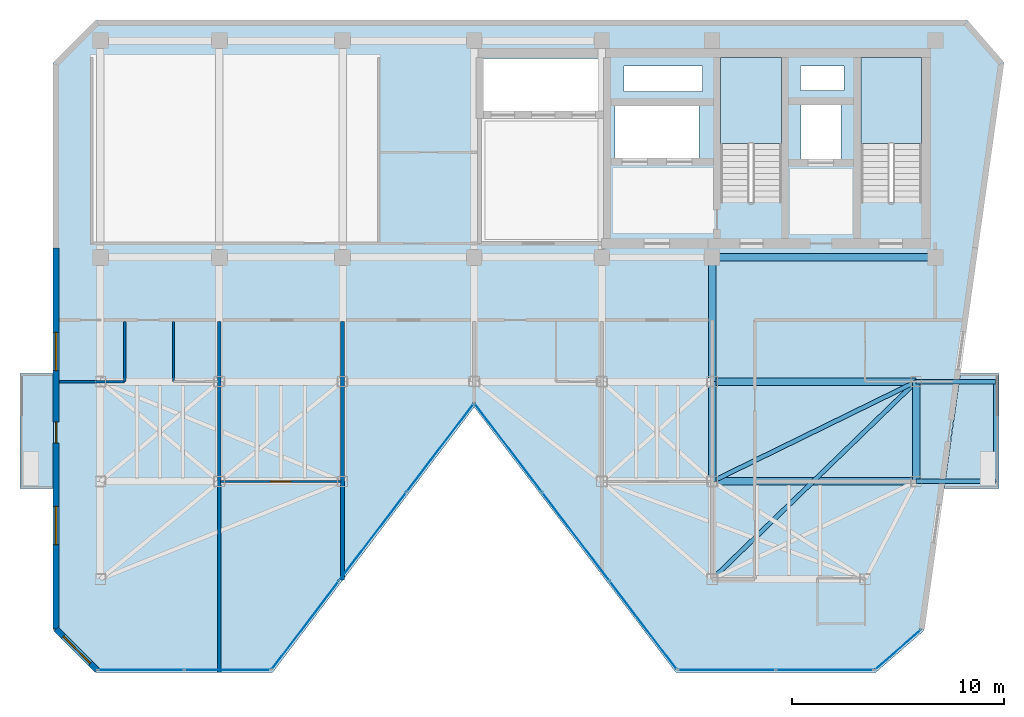
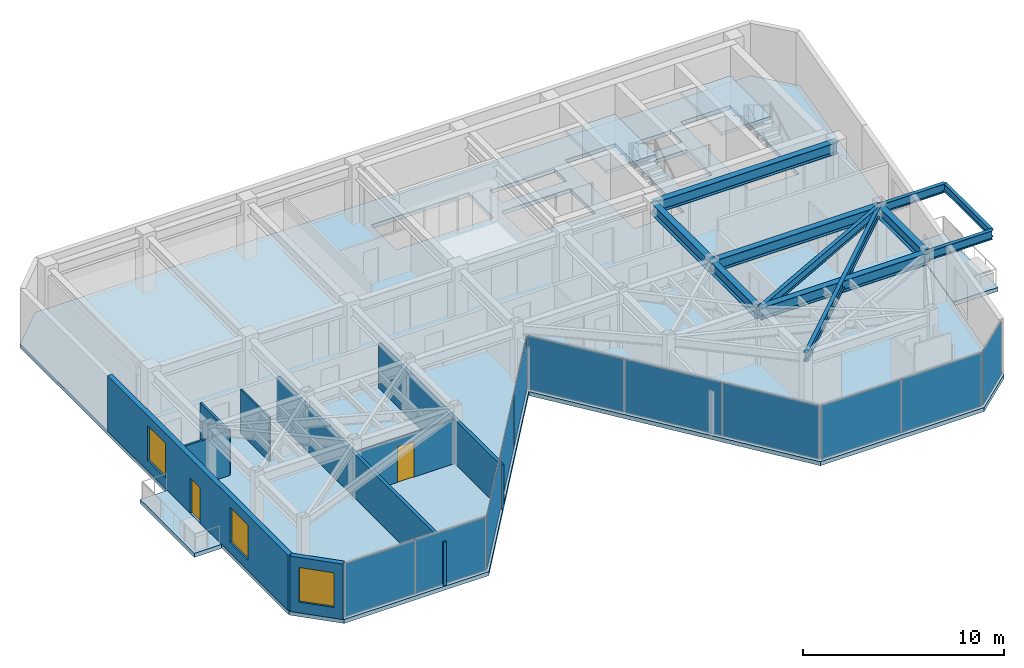
# One storey, part 12 of 17: 11 beams, 11 plates, 8 walls, 5 slabs, 3 windows, 2 doors, 5 openings, 7 elements without a shape of their own.
"""IFC4 building model written with IfcOpenShell, lengths in metres."""

import ifcopenshell
import ifcopenshell.guid

model = None  # the IFC model being written
_history = None  # IfcOwnerHistory: only IFC2X3 demands one
_inside = {}  # id of a spatial element -> (the spatial element, [elements in it])
_under = {}  # id of a project, library or spatial element -> (it, [spatial elements below it])
_declared = {}  # id of a project -> (the project, [libraries it declares])
_typed = {}  # id of a type object -> (the type object, [elements of that type])
_made_of = {}  # id of a material, layer set ... -> (it, [elements and type objects made of it])


def new_model(schema):
    """Start an empty IFC model of exactly this schema.

    Asked for "IFC4X3", IfcOpenShell would pick the latest addendum, in which some entities
    have other attributes; the version numbers below select the first issue.
    IFC2X3 requires an IfcOwnerHistory on every rooted entity: one is made here for all.
    """
    global model, _history
    if schema == "IFC4X3":
        model = ifcopenshell.file(schema_version=(4, 3, 0, 0))
    else:
        model = ifcopenshell.file(schema=schema)
    _inside.clear()
    _under.clear()
    _declared.clear()
    _typed.clear()
    _made_of.clear()
    _history = None
    if model.schema == "IFC2X3":
        org = make("IfcOrganization", Name="unknown")
        user = make(
            "IfcPersonAndOrganization",
            ThePerson=make("IfcPerson", FamilyName="unknown"),
            TheOrganization=org,
        )
        app = make(
            "IfcApplication",
            ApplicationDeveloper=org,
            Version="unknown",
            ApplicationFullName="unknown",
            ApplicationIdentifier="unknown",
        )
        _history = make(
            "IfcOwnerHistory",
            OwningUser=user,
            OwningApplication=app,
            ChangeAction="ADDED",
            CreationDate=0,
        )
    return model


def make(cls, **values):
    """One entity of the class cls with the attributes given. An attribute that is None is left unset."""
    return model.create_entity(
        cls, **{name: value for name, value in values.items() if value is not None}
    )


def rooted(cls, **values):
    """An entity with a GlobalId (a new one), such as an element, a storey or a relation."""
    return make(cls, GlobalId=ifcopenshell.guid.new(), OwnerHistory=_history, **values)


def si_unit(unit_type, name, prefix=None):
    """IfcSIUnit, for example si_unit("LENGTHUNIT", "METRE", prefix="MILLI")."""
    return make("IfcSIUnit", UnitType=unit_type, Prefix=prefix, Name=name)


def assignment(units):
    """IfcUnitAssignment: the units of a project."""
    return None if units is None else make("IfcUnitAssignment", Units=units)


def point(xyz):
    """IfcCartesianPoint."""
    return None if xyz is None else make("IfcCartesianPoint", Coordinates=xyz)


def direction(xyz):
    """IfcDirection."""
    return None if xyz is None else make("IfcDirection", DirectionRatios=xyz)


def frame(location, z_axis=None, x_axis=None):
    """IfcAxis2Placement3D, a coordinate frame: its origin and axes. An axis left out is left unset."""
    return make(
        "IfcAxis2Placement3D",
        Location=point(location),
        Axis=direction(z_axis),
        RefDirection=direction(x_axis),
    )


def frame_2d(location, x_axis=None):
    """IfcAxis2Placement2D, a coordinate frame in the plane: its origin and x axis."""
    return make(
        "IfcAxis2Placement2D", Location=point(location), RefDirection=direction(x_axis)
    )


def origin():
    """The frame at (0, 0, 0) with its axes left unset."""
    return frame((0.0, 0.0, 0.0))


def origin_2d():
    """The frame at (0, 0) in the plane with its x axis left unset."""
    return frame_2d((0.0, 0.0))


def place(relative_to, where):
    """IfcLocalPlacement: puts the frame where relative to a parent placement (None: the world)."""
    return make(
        "IfcLocalPlacement", PlacementRelTo=relative_to, RelativePlacement=where
    )


def context(
    kind, dimensions, precision=None, world=None, true_north=None, identifier=None
):
    """IfcGeometricRepresentationContext, for example the 3D "Model" context."""
    return make(
        "IfcGeometricRepresentationContext",
        ContextIdentifier=identifier,
        ContextType=kind,
        CoordinateSpaceDimension=dimensions,
        Precision=precision,
        WorldCoordinateSystem=world,
        TrueNorth=true_north,
    )


def subcontext(parent, identifier, kind, view, scale=None):
    """IfcGeometricRepresentationSubContext, for example "Body" below "Model"."""
    return make(
        "IfcGeometricRepresentationSubContext",
        ContextIdentifier=identifier,
        ContextType=kind,
        ParentContext=parent,
        TargetScale=scale,
        TargetView=view,
    )


def project(units=None, contexts=None):
    """IfcProject with its units and contexts."""
    return rooted(
        "IfcProject",
        Name="project",
        RepresentationContexts=contexts,
        UnitsInContext=assignment(units),
    )


def spatial(cls, under=None, at=None, **own):
    """A site, building, storey or space (cls), placed at a placement, below another one or the project."""
    s = rooted(cls, ObjectPlacement=at, **own)
    if under is not None:
        _under.setdefault(under.id(), (under, []))[1].append(s)
    return s


def polyline(points):
    """IfcPolyline through the points."""
    return make("IfcPolyline", Points=[point(p) for p in points])


def profile(cls, at=None, kind="AREA", **sizes):
    """A parametric profile (cls). Its sizes go by their IFC names, for example OverallWidth=200.0."""
    return make(cls, ProfileType=kind, Position=at, **sizes)


def rectangle(**sizes):
    """IfcRectangleProfileDef."""
    return profile("IfcRectangleProfileDef", **sizes)


def i_section(**sizes):
    """IfcIShapeProfileDef."""
    return profile("IfcIShapeProfileDef", **sizes)


def outline(outer, holes=None, kind="AREA"):
    """IfcArbitraryClosedProfileDef: a profile drawn as a closed curve; with holes, ...WithVoids."""
    if holes is None:
        return make("IfcArbitraryClosedProfileDef", ProfileType=kind, OuterCurve=outer)
    return make(
        "IfcArbitraryProfileDefWithVoids",
        ProfileType=kind,
        OuterCurve=outer,
        InnerCurves=holes,
    )


def extrude(swept, where, along, depth):
    """IfcExtrudedAreaSolid: the profile swept, set in the frame where, extruded along a direction by depth."""
    return make(
        "IfcExtrudedAreaSolid",
        SweptArea=swept,
        Position=where,
        ExtrudedDirection=direction(along),
        Depth=depth,
    )


def shape(context_of_items, identifier, shape_type, items):
    """IfcShapeRepresentation: the items that make up one representation, for example the "Body"."""
    return make(
        "IfcShapeRepresentation",
        ContextOfItems=context_of_items,
        RepresentationIdentifier=identifier,
        RepresentationType=shape_type,
        Items=items,
    )


def material(Name=None, Category=None):
    """IfcMaterial."""
    return make("IfcMaterial", Name=Name, Category=Category)


def layer(
    of_material, thickness, ventilated=None, Name=None, Category=None, Priority=None
):
    """IfcMaterialLayer: one layer of a wall or slab, of a material (None: an air gap)."""
    return make(
        "IfcMaterialLayer",
        Material=of_material,
        LayerThickness=thickness,
        IsVentilated=ventilated,
        Name=Name,
        Category=Category,
        Priority=Priority,
    )


def layer_set(layers, Name=None):
    """IfcMaterialLayerSet."""
    return make("IfcMaterialLayerSet", MaterialLayers=layers, LayerSetName=Name)


def material_profile(
    of_material, cross_section, Name=None, Category=None, Priority=None
):
    """IfcMaterialProfile: a cross section and its material."""
    return make(
        "IfcMaterialProfile",
        Name=Name,
        Material=of_material,
        Profile=cross_section,
        Priority=Priority,
        Category=Category,
    )


def profile_set(profiles, Name=None, composite=None):
    """IfcMaterialProfileSet."""
    return make(
        "IfcMaterialProfileSet",
        Name=Name,
        MaterialProfiles=profiles,
        CompositeProfile=composite,
    )


def made_of(thing, what):
    """Note that an element or type object is made of a material, layer set ...; save() writes the relation."""
    if what is not None:
        _made_of.setdefault(what.id(), (what, []))[1].append(thing)
    return thing


def type_object(cls, material=None, **own):
    """A type object (cls), such as IfcWallType, which elements share."""
    return made_of(rooted(cls, **own), material)


def element(
    cls,
    number,
    at=None,
    inside=None,
    cuts=None,
    type_object=None,
    material=None,
    context=None,
    identifier="Body",
    shape_type=None,
    held_by="IfcProductDefinitionShape",
    body=None,
    shapes=None,
    **own,
):
    """One element of the class cls, such as IfcWall. Its Tag is "e" and its number.

    at: its placement. inside: the storey or other place that contains it. cuts: it is an
    opening in that element (IfcRelVoidsElement). A single representation is given by context,
    identifier, shape_type and body (its items); several are given by shapes. held_by: the class
    of the entity that holds the representations. save() writes the other relations.
    """
    e = rooted(cls, Tag="e%d" % number, ObjectPlacement=at, **own)
    if body is not None:
        shapes = [shape(context, identifier, shape_type, body)]
    if shapes is not None:
        e.Representation = make(held_by, Representations=shapes)
    if inside is not None:
        _inside.setdefault(inside.id(), (inside, []))[1].append(e)
    if cuts is not None:
        rooted(
            "IfcRelVoidsElement", RelatingBuildingElement=cuts, RelatedOpeningElement=e
        )
    if type_object is not None:
        _typed.setdefault(type_object.id(), (type_object, []))[1].append(e)
    return made_of(e, material)


def fill(opening, filler):
    """IfcRelFillsElement: the door or window that sits in an opening."""
    return rooted(
        "IfcRelFillsElement",
        RelatingOpeningElement=opening,
        RelatedBuildingElement=filler,
    )


def aggregate(whole, parts):
    """IfcRelAggregates: a whole, such as a stair, and the parts it consists of."""
    return rooted("IfcRelAggregates", RelatingObject=whole, RelatedObjects=parts)


def save(model, path):
    """Write the relations noted so far, then the file.

    IfcRelAggregates (storeys below a building ...), IfcRelContainedInSpatialStructure (elements
    in a storey), IfcRelDefinesByType, IfcRelAssociatesMaterial and IfcRelDeclares: one each for
    every whole, place, type object, material and project.
    """
    for whole, parts in _under.values():
        aggregate(whole, parts)
    for where, things in _inside.values():
        rooted(
            "IfcRelContainedInSpatialStructure",
            RelatedElements=things,
            RelatingStructure=where,
        )
    for kind, things in _typed.values():
        rooted("IfcRelDefinesByType", RelatedObjects=things, RelatingType=kind)
    for what, things in _made_of.values():
        rooted("IfcRelAssociatesMaterial", RelatedObjects=things, RelatingMaterial=what)
    for by, libraries in _declared.values():
        rooted("IfcRelDeclares", RelatingContext=by, RelatedDefinitions=libraries)
    model.write(path)


model = new_model("IFC4")

# Units and contexts
model_context = context("Model", 3, precision=1e-05, world=origin(), true_north=direction((0.0, 1.0)))
body_context = subcontext(model_context, "Body", "Model", "MODEL_VIEW")
ifc_project = project(units=[si_unit("LENGTHUNIT", "METRE"), si_unit("AREAUNIT", "SQUARE_METRE"), si_unit("VOLUMEUNIT", "CUBIC_METRE"), si_unit("PLANEANGLEUNIT", "RADIAN"), si_unit("MASSUNIT", "GRAM", prefix="KILO")], contexts=[model_context])

# Site, building, storey
site_placement = place(None, origin())
site = spatial("IfcSite", under=ifc_project, at=site_placement, CompositionType="ELEMENT")
building_placement = place(site_placement, origin())
building = spatial("IfcBuilding", under=site, at=building_placement, Name="Kravanh Interchange Tower", CompositionType="ELEMENT")
storey_placement = place(building_placement, frame((0.0, 0.0, 256.199951171875)))
storey = spatial("IfcBuildingStorey", under=building, at=storey_placement, Name="L62", CompositionType="ELEMENT", Elevation=256.199951171875)

# Beams
ifc_material_1 = material(Name="Structural Steel S355", Category="steel")
ifc_material_profile_1 = material_profile(ifc_material_1, i_section(OverallWidth=0.35498046875, OverallDepth=0.696044921875, WebThickness=0.015380859375, FlangeThickness=0.02490234375, FilletRadius=0.02392578125, at=origin_2d()), Name="W27X146")
ifc_profile_set_1 = profile_set([ifc_material_profile_1], Name="Structural Steel S355")
beam_type_1 = type_object("IfcBeamType", Name="Floor Beam W27X146 Structural Steel S355", PredefinedType="BEAM", material=ifc_profile_set_1)
beam_1_placement = place(storey_placement, frame((56.0, 31.5, 3.011962890625), z_axis=(0.0, -1.0, 0.0), x_axis=(1.0, 0.0, 0.0)))
element("IfcBeam", 1, at=beam_1_placement, inside=storey, type_object=beam_type_1, Name="L62 Primary Floor Girder 9", PredefinedType="BEAM", context=body_context, shape_type="SweptSolid", body=[
    extrude(i_section(OverallWidth=0.35498046875, OverallDepth=0.696044921875, WebThickness=0.015380859375, FlangeThickness=0.02490234375, FilletRadius=0.02392578125, at=origin_2d()), origin(), (0.0, 0.0, 1.0), 4.699951171875),
])
beam_2_placement = place(storey_placement, frame((56.0, 31.5, 3.011962890625), z_axis=(0.0, 1.0, 0.0), x_axis=(-1.0, 0.0, 0.0)))
element("IfcBeam", 2, at=beam_2_placement, inside=storey, type_object=beam_type_1, Name="L62 Primary Floor Girder 10", PredefinedType="BEAM", context=body_context, shape_type="SweptSolid", body=[
    extrude(i_section(OverallWidth=0.35498046875, OverallDepth=0.696044921875, WebThickness=0.015380859375, FlangeThickness=0.02490234375, FilletRadius=0.02392578125, at=origin_2d()), origin(), (0.0, 0.0, 1.0), 5.85009765625),
])
beam_3_placement = place(storey_placement, frame((56.0, 31.5, 3.011962890625), z_axis=(1.0, 0.0, 0.0), x_axis=(0.0, 1.0, 0.0)))
element("IfcBeam", 3, at=beam_3_placement, inside=storey, type_object=beam_type_1, Name="L62 Primary Floor Girder 12", PredefinedType="BEAM", context=body_context, shape_type="SweptSolid", body=[
    extrude(i_section(OverallWidth=0.35498046875, OverallDepth=0.696044921875, WebThickness=0.015380859375, FlangeThickness=0.02490234375, FilletRadius=0.02392578125, at=origin_2d()), origin(), (0.0, 0.0, 1.0), 9.60009765625),
])
beam_4_placement = place(storey_placement, frame((65.60009765625, 31.5, 3.011962890625), z_axis=(0.0, -1.0, 0.0), x_axis=(1.0, 0.0, 0.0)))
element("IfcBeam", 4, at=beam_4_placement, inside=storey, type_object=beam_type_1, Name="L62 Primary Floor Girder 13", PredefinedType="BEAM", context=body_context, shape_type="SweptSolid", body=[
    extrude(i_section(OverallWidth=0.35498046875, OverallDepth=0.696044921875, WebThickness=0.015380859375, FlangeThickness=0.02490234375, FilletRadius=0.02392578125, at=origin_2d()), origin(), (0.0, 0.0, 1.0), 4.699951171875),
])
beam_5_placement = place(storey_placement, frame((56.0, 26.800048828125, 3.011962890625), z_axis=(1.0, 0.0, 0.0), x_axis=(0.0, 1.0, 0.0)))
element("IfcBeam", 5, at=beam_5_placement, inside=storey, type_object=beam_type_1, Name="L62 Primary Floor Girder 36", PredefinedType="BEAM", context=body_context, shape_type="SweptSolid", body=[
    extrude(i_section(OverallWidth=0.35498046875, OverallDepth=0.696044921875, WebThickness=0.015380859375, FlangeThickness=0.02490234375, FilletRadius=0.02392578125, at=origin_2d()), origin(), (0.0, 0.0, 1.0), 9.60009765625),
])
beam_6_placement = place(storey_placement, frame((66.5, 37.35009765625, 3.011962890625), z_axis=(-1.0, 0.0, 0.0), x_axis=(0.0, -1.0, 0.0)))
element("IfcBeam", 6, at=beam_6_placement, inside=storey, type_object=beam_type_1, Name="L62 Primary Floor Girder 47", PredefinedType="BEAM", context=body_context, shape_type="SweptSolid", body=[
    extrude(i_section(OverallWidth=0.35498046875, OverallDepth=0.696044921875, WebThickness=0.015380859375, FlangeThickness=0.02490234375, FilletRadius=0.02392578125, at=origin_2d()), origin(), (0.0, 0.0, 1.0), 10.5),
])
ifc_material_2 = material(Name="Structural Steel S355", Category="steel")
ifc_material_profile_2 = material_profile(ifc_material_2, i_section(OverallWidth=0.18994140625, OverallDepth=0.45703125, WebThickness=0.009033203125, FlangeThickness=0.014404296875, FilletRadius=0.01806640625, at=origin_2d()), Name="W18X50")
ifc_profile_set_2 = profile_set([ifc_material_profile_2], Name="Structural Steel S355")
beam_type_2 = type_object("IfcBeamType", Name="Floor Joist W18X50 Structural Steel S355", PredefinedType="JOIST", material=ifc_profile_set_2)
beam_7_placement = place(storey_placement, frame((69.330078125, 26.800048828125, 3.131591796875), z_axis=(0.0, 1.0, 0.0), x_axis=(-1.0, 0.0, 0.0)))
element("IfcBeam", 7, at=beam_7_placement, inside=storey, type_object=beam_type_2, Name="L62 Balcony Edge Tie Beam E", PredefinedType="JOIST", context=body_context, shape_type="SweptSolid", body=[
    extrude(i_section(OverallWidth=0.18994140625, OverallDepth=0.45703125, WebThickness=0.009033203125, FlangeThickness=0.014404296875, FilletRadius=0.01806640625, at=origin_2d()), origin(), (0.0, 0.0, 1.0), 4.699951171875),
])
ifc_material_3 = material(Name="Structural Steel S355", Category="steel")
ifc_material_profile_3 = material_profile(ifc_material_3, i_section(OverallWidth=0.2099609375, OverallDepth=0.537109375, WebThickness=0.010986328125, FlangeThickness=0.017333984375, FilletRadius=0.02001953125, at=origin_2d()), Name="W21X68")
ifc_profile_set_3 = profile_set([ifc_material_profile_3], Name="Structural Steel S355")
beam_type_3 = type_object("IfcBeamType", Name="Floor Spandrel W21X68 Structural Steel S355", PredefinedType="SPANDREL", material=ifc_profile_set_3)
beam_8_placement = place(storey_placement, frame((65.60009765625, 31.5, 3.091552734375), z_axis=(-0.898141688387, -0.439706160499, 0.0), x_axis=(0.439706160499, -0.898141688387, 0.0)))
element("IfcBeam", 8, at=beam_8_placement, inside=storey, type_object=beam_type_3, Name="L62 Perimeter Spandrel 15", PredefinedType="SPANDREL", context=body_context, shape_type="SweptSolid", body=[
    extrude(i_section(OverallWidth=0.2099609375, OverallDepth=0.537109375, WebThickness=0.010986328125, FlangeThickness=0.017333984375, FilletRadius=0.02001953125, at=origin_2d()), origin(), (0.0, 0.0, 1.0), 10.68896484375),
])
beam_9_placement = place(storey_placement, frame((65.60009765625, 31.5, 3.091552734375), z_axis=(-0.718241934329, -0.695793449072, 0.0), x_axis=(0.695793449072, -0.718241934329, 0.0)))
element("IfcBeam", 9, at=beam_9_placement, inside=storey, type_object=beam_type_3, Name="L62 Perimeter Spandrel 16", PredefinedType="SPANDREL", context=body_context, shape_type="SweptSolid", body=[
    extrude(i_section(OverallWidth=0.2099609375, OverallDepth=0.537109375, WebThickness=0.010986328125, FlangeThickness=0.017333984375, FilletRadius=0.02001953125, at=origin_2d()), origin(), (0.0, 0.0, 1.0), 13.3662109375),
])
for number, where, z_axis, x_axis, name in (
    (10, (65.60009765625, 26.800048828125, 3.091552734375), (1.0, 0.0, 0.0), (0.0, 1.0, 0.0), "L62 Balcony Cantilever Outrigger E1"),
    (11, (65.60009765625, 31.5, 3.091552734375), (1.0, 0.0, 0.0), (0.0, 1.0, 0.0), "L62 Balcony Cantilever Outrigger E2"),
):
    element("IfcBeam", number, at=place(storey_placement, frame(where, z_axis=z_axis, x_axis=x_axis)), inside=storey, type_object=beam_type_3, Name=name, PredefinedType="SPANDREL", context=body_context, shape_type="SweptSolid", body=[
        extrude(i_section(OverallWidth=0.2099609375, OverallDepth=0.537109375, WebThickness=0.010986328125, FlangeThickness=0.017333984375, FilletRadius=0.02001953125, at=origin_2d()), origin(), (0.0, 0.0, 1.0), 3.72998046875),
    ])

# Curtain wall, plate
ifc_material_4 = material(Name="Anodised Bronze Aluminium", Category="aluminium")
ifc_layer_1 = layer(ifc_material_4, 0.179931640625)
ifc_layer_set_1 = layer_set([ifc_layer_1], Name="Unitised Curtain Wall System CW-HTL Luxury Hotel")
curtain_wall_type = type_object("IfcCurtainWallType", Name="Unitised Curtain Wall System CW-HTL Luxury Hotel", PredefinedType="NOTDEFINED", material=ifc_layer_set_1)
curtain_wall_1_placement = place(storey_placement, origin())
curtain_wall_1 = element("IfcCurtainWall", 12, at=curtain_wall_1_placement, inside=storey, type_object=curtain_wall_type, Name="L62 Unitised Curtain Wall CW-L62-01", PredefinedType="NOTDEFINED")
ifc_material_5 = material(Name="Low-E Laminated Architectural Glass", Category="glass")
ifc_layer_2 = layer(ifc_material_5, 0.030029296875)
ifc_layer_set_2 = layer_set([ifc_layer_2], Name="Acoustic Laminated Glazing 30mm")
plate_type = type_object("IfcPlateType", Name="Acoustic Laminated Glazing 30mm", PredefinedType="CURTAIN_PANEL", material=ifc_layer_set_2)
plate_1_placement = place(storey_placement, frame((64.745849609375, 18.880859375, 0.06005859375), z_axis=(0.0, 0.0, 1.0), x_axis=(-0.754717231494, -0.656050227106, 0.0)))
plate_1 = element("IfcPlate", 13, at=plate_1_placement, type_object=plate_type, Name="CW-HTL panel 1.1", PredefinedType="CURTAIN_PANEL", context=body_context, shape_type="SweptSolid", body=[
    extrude(rectangle(XDim=2.80908203125, YDim=0.030029296875, at=origin_2d()), origin(), (0.0, 0.0, 1.0), 3.239990234375),
])
aggregate(curtain_wall_1, [plate_1])

# Curtain wall, plates
curtain_wall_2_placement = place(storey_placement, origin())
curtain_wall_2 = element("IfcCurtainWall", 14, at=curtain_wall_2_placement, inside=storey, type_object=curtain_wall_type, Name="L62 Unitised Curtain Wall CW-L62-02", PredefinedType="NOTDEFINED")
plate_2_placement = place(storey_placement, frame((61.30517578125, 17.919921875, 0.06005859375), z_axis=(0.0, 0.0, 1.0), x_axis=(-1.0, 0.0, 0.0)))
plate_2 = element("IfcPlate", 15, at=plate_2_placement, type_object=plate_type, Name="CW-HTL panel 1.1", PredefinedType="CURTAIN_PANEL", context=body_context, shape_type="SweptSolid", body=[
    extrude(rectangle(XDim=4.550537109375, YDim=0.030029296875, at=origin_2d()), origin(), (0.0, 0.0, 1.0), 3.239990234375),
])
plate_3_placement = place(storey_placement, frame((56.69482421875, 17.919921875, 0.06005859375), z_axis=(0.0, 0.0, 1.0), x_axis=(-1.0, 0.0, 0.0)))
plate_3 = element("IfcPlate", 16, at=plate_3_placement, type_object=plate_type, Name="CW-HTL panel 2.1", PredefinedType="CURTAIN_PANEL", context=body_context, shape_type="SweptSolid", body=[
    extrude(rectangle(XDim=4.550537109375, YDim=0.030029296875, at=origin_2d()), origin(), (0.0, 0.0, 1.0), 3.239990234375),
])
aggregate(curtain_wall_2, [plate_2, plate_3])

curtain_wall_3_placement = place(storey_placement, origin())
curtain_wall_3 = element("IfcCurtainWall", 17, at=curtain_wall_3_placement, inside=storey, type_object=curtain_wall_type, Name="L62 Unitised Curtain Wall CW-L62-03", PredefinedType="NOTDEFINED")
plate_4_placement = place(storey_placement, frame((52.757080078125, 20.0283203125, 0.06005859375), z_axis=(0.0, 0.0, 1.0), x_axis=(-0.605082946564, 0.79616243806, 0.0)))
plate_4 = element("IfcPlate", 18, at=plate_4_placement, type_object=plate_type, Name="CW-HTL panel 1.1", PredefinedType="CURTAIN_PANEL", context=body_context, shape_type="SweptSolid", body=[
    extrude(rectangle(XDim=5.17626953125, YDim=0.030029296875, at=origin_2d()), origin(), (0.0, 0.0, 1.0), 3.239990234375),
])
plate_5_placement = place(storey_placement, frame((49.579833984375, 24.209228515625, 0.06005859375), z_axis=(0.0, 0.0, 1.0), x_axis=(-0.605082946564, 0.79616243806, 0.0)))
plate_5 = element("IfcPlate", 19, at=plate_5_placement, type_object=plate_type, Name="CW-HTL panel 2.1", PredefinedType="CURTAIN_PANEL", context=body_context, shape_type="SweptSolid", body=[
    extrude(rectangle(XDim=5.206298828125, YDim=0.030029296875, at=origin_2d()), origin(), (0.0, 0.0, 1.0), 3.239990234375),
])
plate_6_placement = place(storey_placement, frame((46.40234375, 28.389892578125, 0.06005859375), z_axis=(0.0, 0.0, 1.0), x_axis=(-0.605082946564, 0.79616243806, 0.0)))
plate_6 = element("IfcPlate", 20, at=plate_6_placement, type_object=plate_type, Name="CW-HTL panel 3.1", PredefinedType="CURTAIN_PANEL", context=body_context, shape_type="SweptSolid", body=[
    extrude(rectangle(XDim=5.17626953125, YDim=0.030029296875, at=origin_2d()), origin(), (0.0, 0.0, 1.0), 3.239990234375),
])
aggregate(curtain_wall_3, [plate_4, plate_5, plate_6])

curtain_wall_4_placement = place(storey_placement, origin())
curtain_wall_4 = element("IfcCurtainWall", 21, at=curtain_wall_4_placement, inside=storey, type_object=curtain_wall_type, Name="L62 Unitised Curtain Wall CW-L62-04", PredefinedType="NOTDEFINED")
plate_7_placement = place(storey_placement, frame((43.19775390625, 28.389892578125, 0.06005859375), z_axis=(0.0, 0.0, 1.0), x_axis=(-0.605082946564, -0.79616243806, 0.0)))
plate_7 = element("IfcPlate", 22, at=plate_7_placement, type_object=plate_type, Name="CW-HTL panel 1.1", PredefinedType="CURTAIN_PANEL", context=body_context, shape_type="SweptSolid", body=[
    extrude(rectangle(XDim=5.17626953125, YDim=0.030029296875, at=origin_2d()), origin(), (0.0, 0.0, 1.0), 3.239990234375),
])
plate_8_placement = place(storey_placement, frame((40.020263671875, 24.209228515625, 0.06005859375), z_axis=(0.0, 0.0, 1.0), x_axis=(-0.605082946564, -0.79616243806, 0.0)))
plate_8 = element("IfcPlate", 23, at=plate_8_placement, type_object=plate_type, Name="CW-HTL panel 2.1", PredefinedType="CURTAIN_PANEL", context=body_context, shape_type="SweptSolid", body=[
    extrude(rectangle(XDim=5.206298828125, YDim=0.030029296875, at=origin_2d()), origin(), (0.0, 0.0, 1.0), 3.239990234375),
])
plate_9_placement = place(storey_placement, frame((36.8427734375, 20.0283203125, 0.06005859375), z_axis=(0.0, 0.0, 1.0), x_axis=(-0.605082946564, -0.79616243806, 0.0)))
plate_9 = element("IfcPlate", 24, at=plate_9_placement, type_object=plate_type, Name="CW-HTL panel 3.1", PredefinedType="CURTAIN_PANEL", context=body_context, shape_type="SweptSolid", body=[
    extrude(rectangle(XDim=5.17626953125, YDim=0.030029296875, at=origin_2d()), origin(), (0.0, 0.0, 1.0), 3.239990234375),
])
aggregate(curtain_wall_4, [plate_7, plate_8, plate_9])

curtain_wall_5_placement = place(storey_placement, origin())
curtain_wall_5 = element("IfcCurtainWall", 25, at=curtain_wall_5_placement, inside=storey, type_object=curtain_wall_type, Name="L62 Unitised Curtain Wall CW-L62-05", PredefinedType="NOTDEFINED")
plate_10_placement = place(storey_placement, frame((33.177734375, 17.919921875, 0.06005859375), z_axis=(0.0, 0.0, 1.0), x_axis=(-1.0, 0.0, 0.0)))
plate_10 = element("IfcPlate", 26, at=plate_10_placement, type_object=plate_type, Name="CW-HTL panel 1.1", PredefinedType="CURTAIN_PANEL", context=body_context, shape_type="SweptSolid", body=[
    extrude(rectangle(XDim=4.00537109375, YDim=0.030029296875, at=origin_2d()), origin(), (0.0, 0.0, 1.0), 3.239990234375),
])
plate_11_placement = place(storey_placement, frame((29.1123046875, 17.919921875, 0.06005859375), z_axis=(0.0, 0.0, 1.0), x_axis=(-1.0, 0.0, 0.0)))
plate_11 = element("IfcPlate", 27, at=plate_11_placement, type_object=plate_type, Name="CW-HTL panel 2.1", PredefinedType="CURTAIN_PANEL", context=body_context, shape_type="SweptSolid", body=[
    extrude(rectangle(XDim=4.00537109375, YDim=0.030029296875, at=origin_2d()), origin(), (0.0, 0.0, 1.0), 3.239990234375),
])
aggregate(curtain_wall_5, [plate_10, plate_11])

# Slab
ifc_material_6 = material(Name="Concrete C50/60", Category="concrete")
ifc_layer_3 = layer(ifc_material_6, 0.239990234375)
ifc_layer_set_3 = layer_set([ifc_layer_3], Name="Composite Floor Slab Concrete C50/60 240mm")
slab_type_1 = type_object("IfcSlabType", Name="Composite Floor Slab Concrete C50/60 240mm", PredefinedType="FLOOR", material=ifc_layer_set_3)
slab_1_placement = place(storey_placement, frame((0.0, 0.0, -0.239990234375)))
element("IfcSlab", 28, at=slab_1_placement, inside=storey, type_object=slab_type_1, Name="L62 Structural Floor Slab", PredefinedType="FLOOR", context=body_context, shape_type="SweptSolid", body=[
    extrude(outline(polyline([(25.0, 19.800048828125), (27.0, 17.800048828125), (35.300048828125, 17.800048828125), (44.800048828125, 30.300048828125), (54.300048828125, 17.800048828125), (63.685302734375, 17.800048828125), (65.963623046875, 19.780517578125), (69.7216796875, 46.51953125), (68.0, 48.5), (27.0, 48.5), (25.0, 46.5), (25.0, 19.800048828125)]), holes=[polyline([(65.85009765625, 39.925048828125), (65.85009765625, 46.75), (63.0, 46.75), (63.0, 39.925048828125), (65.85009765625, 39.925048828125)]), polyline([(59.25, 39.925048828125), (59.25, 46.75), (56.39990234375, 46.75), (56.39990234375, 39.925048828125), (59.25, 39.925048828125)]), polyline([(45.239990234375, 44.219970703125), (50.840087890625, 44.219970703125), (50.840087890625, 46.699951171875), (45.239990234375, 46.699951171875), (45.239990234375, 44.219970703125)]), polyline([(51.419921875, 42.02001953125), (55.3798828125, 42.02001953125), (55.3798828125, 44.47998046875), (51.419921875, 44.47998046875), (51.419921875, 42.02001953125)]), polyline([(60.179931640625, 41.97998046875), (62.06005859375, 41.97998046875), (62.06005859375, 44.52001953125), (60.179931640625, 44.52001953125), (60.179931640625, 41.97998046875)]), polyline([(60.14990234375, 45.199951171875), (62.199951171875, 45.199951171875), (62.199951171875, 46.35009765625), (60.14990234375, 46.35009765625), (60.14990234375, 45.199951171875)]), polyline([(51.85009765625, 45.14990234375), (55.550048828125, 45.14990234375), (55.550048828125, 46.35009765625), (51.85009765625, 46.35009765625), (51.85009765625, 45.14990234375)])]), origin(), (0.0, 0.0, 1.0), 0.239990234375),
])

# Stair, slab
ifc_material_7 = material(Name="Concrete C50/60", Category="concrete")
stair_type = type_object("IfcStairType", Name="Core Fire Exit Dogleg Stair Concrete C50/60", PredefinedType="HALF_TURN_STAIR", material=ifc_material_7)
stair_1_placement = place(storey_placement, origin())
stair_1 = element("IfcStair", 29, at=stair_1_placement, inside=storey, type_object=stair_type, Name="L62 Exit Stair ST1", PredefinedType="HALF_TURN_STAIR")
ifc_material_8 = material(Name="Concrete C50/60", Category="concrete")
ifc_layer_4 = layer(ifc_material_8, 0.199951171875)
ifc_layer_set_4 = layer_set([ifc_layer_4], Name="Concrete C50/60 Stair Half-Landing Slab 200mm")
slab_type_2 = type_object("IfcSlabType", Name="Concrete C50/60 Stair Half-Landing Slab 200mm", PredefinedType="LANDING", material=ifc_layer_set_4)
slab_2_placement = place(storey_placement, frame((0.0, 0.0, 1.60009765625)))
slab_2 = element("IfcSlab", 30, at=slab_2_placement, type_object=slab_type_2, Name="ST1 landing 1", PredefinedType="LANDING", context=body_context, shape_type="SweptSolid", body=[
    extrude(outline(polyline([(65.85009765625, 42.699951171875), (65.85009765625, 46.75), (63.0, 46.75), (63.0, 42.699951171875), (65.85009765625, 42.699951171875)])), origin(), (0.0, 0.0, 1.0), 0.199951171875),
])
aggregate(stair_1, [slab_2])

stair_2_placement = place(storey_placement, origin())
stair_2 = element("IfcStair", 31, at=stair_2_placement, inside=storey, type_object=stair_type, Name="L62 Exit Stair ST2", PredefinedType="HALF_TURN_STAIR")
slab_3_placement = place(storey_placement, frame((0.0, 0.0, 1.60009765625)))
slab_3 = element("IfcSlab", 32, at=slab_3_placement, type_object=slab_type_2, Name="ST2 landing 1", PredefinedType="LANDING", context=body_context, shape_type="SweptSolid", body=[
    extrude(outline(polyline([(59.25, 42.699951171875), (59.25, 46.75), (56.39990234375, 46.75), (56.39990234375, 42.699951171875), (59.25, 42.699951171875)])), origin(), (0.0, 0.0, 1.0), 0.199951171875),
])
aggregate(stair_2, [slab_3])

# Slabs
ifc_material_9 = material(Name="Concrete C50/60", Category="concrete")
ifc_layer_5 = layer(ifc_material_9, 0.199951171875)
ifc_layer_set_5 = layer_set([ifc_layer_5], Name="Planted Tree Balcony Slab Concrete C50/60 200mm")
slab_type_3 = type_object("IfcSlabType", Name="Planted Tree Balcony Slab Concrete C50/60 200mm", PredefinedType="USERDEFINED", material=ifc_layer_set_5)
slab_4_placement = place(storey_placement, frame((0.0, 0.0, -0.239990234375)))
element("IfcSlab", 33, at=slab_4_placement, inside=storey, type_object=slab_type_3, Name="L62 East Tree Planter Balcony Slab", ObjectType="BALCONY", PredefinedType="USERDEFINED", context=body_context, shape_type="SweptSolid", body=[
    extrude(outline(polyline([(69.489990234375, 31.8701171875), (69.489990234375, 26.469970703125), (66.9189453125, 26.469970703125), (67.677978515625, 31.8701171875), (69.489990234375, 31.8701171875)])), origin(), (0.0, 0.0, 1.0), 0.239990234375),
])
slab_5_placement = place(storey_placement, frame((0.0, 0.0, -0.239990234375)))
element("IfcSlab", 34, at=slab_5_placement, inside=storey, type_object=slab_type_3, Name="L62 West Tree Planter Balcony Slab", ObjectType="BALCONY", PredefinedType="USERDEFINED", context=body_context, shape_type="SweptSolid", body=[
    extrude(outline(polyline([(23.419921875, 26.469970703125), (23.419921875, 31.8701171875), (24.985107421875, 31.8701171875), (24.985107421875, 26.469970703125), (23.419921875, 26.469970703125)])), origin(), (0.0, 0.0, 1.0), 0.239990234375),
])

# Walls
ifc_material_10 = material(Name="Double Acoustic Gypsum Board and Mineral Wool")
ifc_layer_6 = layer(ifc_material_10, 0.1201171875)
ifc_layer_set_6 = layer_set([ifc_layer_6], Name="Acoustic Office Drywall Partition 120mm")
wall_type_1 = type_object("IfcWallType", Name="Acoustic Office Drywall Partition 120mm", PredefinedType="PARTITIONING", material=ifc_layer_set_6)
wall_1_placement = place(storey_placement, frame((28.340087890625, 31.5, 0.0), z_axis=(0.0, 0.0, 1.0), x_axis=(0.0, 1.0, 0.0)))
element("IfcWall", 35, at=wall_1_placement, inside=storey, type_object=wall_type_1, Name="L62 Interior Partition 13", PredefinedType="PARTITIONING", context=body_context, shape_type="SweptSolid", body=[
    extrude(rectangle(XDim=2.83203125, YDim=0.1201171875, at=frame_2d((1.416015625, 0.0))), origin(), (0.0, 0.0, 1.0), 2.6640625),
])
wall_2_placement = place(storey_placement, frame((25.284912109375, 31.5, 0.0), z_axis=(0.0, 0.0, 1.0), x_axis=(1.0, 0.0, 0.0)))
element("IfcWall", 36, at=wall_2_placement, inside=storey, type_object=wall_type_1, Name="L62 Interior Partition 14", PredefinedType="PARTITIONING", context=body_context, shape_type="SweptSolid", body=[
    extrude(rectangle(XDim=3.05517578125, YDim=0.1201171875, at=frame_2d((1.527587890625, 0.0))), origin(), (0.0, 0.0, 1.0), 2.6640625),
])
ifc_material_11 = material(Name="Moisture-Resistant Gypsum Board and Mineral Wool")
ifc_layer_7 = layer(ifc_material_11, 0.10009765625)
ifc_layer_set_7 = layer_set([ifc_layer_7], Name="En-Suite Moisture-Resistant Partition 100mm")
wall_type_2 = type_object("IfcWallType", Name="En-Suite Moisture-Resistant Partition 100mm", PredefinedType="PARTITIONING", material=ifc_layer_set_7)
wall_3_placement = place(storey_placement, frame((30.64990234375, 31.5, 0.0), z_axis=(0.0, 0.0, 1.0), x_axis=(0.0, 1.0, 0.0)))
element("IfcWall", 37, at=wall_3_placement, inside=storey, type_object=wall_type_2, Name="L62 Interior Partition 22", PredefinedType="PARTITIONING", context=body_context, shape_type="SweptSolid", body=[
    extrude(rectangle(XDim=2.83203125, YDim=0.10009765625, at=frame_2d((1.416015625, 0.0))), origin(), (0.0, 0.0, 1.0), 2.6640625),
])

# Wall, opening, door
wall_4_placement = place(storey_placement, frame((32.867919921875, 26.800048828125, 0.0), z_axis=(0.0, 0.0, 1.0), x_axis=(1.0, 0.0, 0.0)))
wall_4 = element("IfcWall", 38, at=wall_4_placement, inside=storey, type_object=wall_type_2, Name="L62 Interior Partition 25", PredefinedType="PARTITIONING", context=body_context, shape_type="SweptSolid", body=[
    extrude(rectangle(XDim=5.6640625, YDim=0.10009765625, at=frame_2d((2.83203125, 0.0))), origin(), (0.0, 0.0, 1.0), 2.6640625),
])
opening_1_placement = place(wall_4_placement, frame((2.35693359375, 0.0, 0.0)))
opening_1 = element("IfcOpeningElement", 39, at=opening_1_placement, cuts=wall_4, Name="Opening D-95", PredefinedType="OPENING", context=body_context, shape_type="SweptSolid", body=[
    extrude(rectangle(XDim=0.949951171875, YDim=2.14990234375, at=frame_2d((0.47509765625, 1.074951171875))), frame((0.0, 0.06005859375, 0.0), z_axis=(0.0, -1.0, 0.0), x_axis=(1.0, 0.0, 0.0)), (0.0, 0.0, 1.0), 0.1201171875),
])
ifc_material_12 = material(Name="Laminate Solid-Core Timber", Category="wood")
door_type_1 = type_object("IfcDoorType", Name="Accessible Restroom Door 950x2150", OperationType="NOTDEFINED", PredefinedType="DOOR", material=ifc_material_12)
door_1_placement = place(opening_1_placement, origin())
door_1 = element("IfcDoor", 40, at=door_1_placement, inside=storey, type_object=door_type_1, Name="L62 Sunroom Alcove Inner Door", OperationType="SINGLE_SWING_RIGHT", OverallHeight=2.14990234375, OverallWidth=0.949951171875, PredefinedType="DOOR", context=body_context, shape_type="SweptSolid", body=[
    extrude(rectangle(XDim=0.949951171875, YDim=2.14990234375, at=frame_2d((0.47509765625, 1.074951171875))), frame((0.0, 0.02490234375, 0.0), z_axis=(0.0, -1.0, 0.0), x_axis=(1.0, 0.0, 0.0)), (0.0, 0.0, 1.0), 0.050048828125),
])
fill(opening_1, door_1)

# Wall, openings, door, windows
ifc_material_13 = material(Name="Insulated Precast Concrete C40/50 with Bronze Cladding", Category="concrete")
ifc_layer_8 = layer(ifc_material_13, 0.280029296875)
ifc_layer_set_8 = layer_set([ifc_layer_8], Name="Exterior Insulated Concrete C40/50 Bronze Spandrel Wall 280mm")
wall_type_3 = type_object("IfcWallType", Name="Exterior Insulated Concrete C40/50 Bronze Spandrel Wall 280mm", PredefinedType="STANDARD", material=ifc_layer_set_8)
wall_5_placement = place(storey_placement, frame((25.1201171875, 19.849609375, 0.0), z_axis=(0.0, 0.0, 1.0), x_axis=(0.0, 1.0, 0.0)))
wall_5 = element("IfcWall", 41, at=wall_5_placement, inside=storey, type_object=wall_type_3, Name="L62 Exterior Wall 1", PredefinedType="STANDARD", context=body_context, shape_type="SweptSolid", body=[
    extrude(rectangle(XDim=17.950439453125, YDim=0.280029296875, at=frame_2d((8.97509765625, 0.0))), origin(), (0.0, 0.0, 1.0), 3.360107421875),
])
opening_2_placement = place(wall_5_placement, frame((8.76025390625, 0.0, 0.0)))
opening_2 = element("IfcOpeningElement", 42, at=opening_2_placement, cuts=wall_5, Name="Opening ED-BAL100", PredefinedType="OPENING", context=body_context, shape_type="SweptSolid", body=[
    extrude(rectangle(XDim=1.0, YDim=2.14990234375, at=frame_2d((0.5, 1.074951171875))), frame((0.0, 0.14990234375, 0.0), z_axis=(0.0, -1.0, 0.0), x_axis=(1.0, 0.0, 0.0)), (0.0, 0.0, 1.0), 0.300048828125),
])
opening_3_placement = place(wall_5_placement, frame((3.98193359375, 0.0, 0.64990234375)))
opening_3 = element("IfcOpeningElement", 43, at=opening_3_placement, cuts=wall_5, Name="Opening WN-180X210", PredefinedType="OPENING", context=body_context, shape_type="SweptSolid", body=[
    extrude(rectangle(XDim=1.800048828125, YDim=2.10009765625, at=frame_2d((0.89990234375, 1.050048828125))), frame((0.0, 0.14990234375, 0.0), z_axis=(0.0, -1.0, 0.0), x_axis=(1.0, 0.0, 0.0)), (0.0, 0.0, 1.0), 0.300048828125),
])
opening_4_placement = place(wall_5_placement, frame((12.168212890625, 0.0, 0.64990234375)))
opening_4 = element("IfcOpeningElement", 44, at=opening_4_placement, cuts=wall_5, Name="Opening WN-180X210", PredefinedType="OPENING", context=body_context, shape_type="SweptSolid", body=[
    extrude(rectangle(XDim=1.800048828125, YDim=2.10009765625, at=frame_2d((0.89990234375, 1.050048828125))), frame((0.0, 0.14990234375, 0.0), z_axis=(0.0, -1.0, 0.0), x_axis=(1.0, 0.0, 0.0)), (0.0, 0.0, 1.0), 0.300048828125),
])
ifc_material_14 = material(Name="Thermally Broken Bronze Aluminium and Laminated Glass", Category="aluminium")
door_type_2 = type_object("IfcDoorType", Name="Balcony Glazed Door 1000x2150", OperationType="NOTDEFINED", PredefinedType="DOOR", material=ifc_material_14)
door_2_placement = place(opening_2_placement, origin())
door_2 = element("IfcDoor", 45, at=door_2_placement, inside=storey, type_object=door_type_2, Name="L62 W Tree Balcony Access Door", OperationType="SINGLE_SWING_RIGHT", OverallHeight=2.14990234375, OverallWidth=1.0, PredefinedType="DOOR", context=body_context, shape_type="SweptSolid", body=[
    extrude(rectangle(XDim=1.0, YDim=2.14990234375, at=frame_2d((0.5, 1.074951171875))), frame((0.0, 0.02490234375, 0.0), z_axis=(0.0, -1.0, 0.0), x_axis=(1.0, 0.0, 0.0)), (0.0, 0.0, 1.0), 0.050048828125),
])
fill(opening_2, door_2)
ifc_material_15 = material(Name="Thermally Broken Bronze Aluminium and Low-E Glass", Category="aluminium")
window_type = type_object("IfcWindowType", Name="Tower Pier Window 1800x2100", PartitioningType="SINGLE_PANEL", PredefinedType="WINDOW", material=ifc_material_15)
window_1_placement = place(opening_3_placement, origin())
window_1 = element("IfcWindow", 46, at=window_1_placement, inside=storey, type_object=window_type, Name="L62 Facade Window 1A", OverallHeight=2.10009765625, OverallWidth=1.800048828125, PartitioningType="SINGLE_PANEL", PredefinedType="WINDOW", context=body_context, shape_type="SweptSolid", body=[
    extrude(rectangle(XDim=1.800048828125, YDim=2.10009765625, at=frame_2d((0.89990234375, 1.050048828125))), frame((0.0, 0.030029296875, 0.0), z_axis=(0.0, -1.0, 0.0), x_axis=(1.0, 0.0, 0.0)), (0.0, 0.0, 1.0), 0.06005859375),
])
fill(opening_3, window_1)
window_2_placement = place(opening_4_placement, origin())
window_2 = element("IfcWindow", 47, at=window_2_placement, inside=storey, type_object=window_type, Name="L62 Facade Window 1B", OverallHeight=2.10009765625, OverallWidth=1.800048828125, PartitioningType="SINGLE_PANEL", PredefinedType="WINDOW", context=body_context, shape_type="SweptSolid", body=[
    extrude(rectangle(XDim=1.800048828125, YDim=2.10009765625, at=frame_2d((0.89990234375, 1.050048828125))), frame((0.0, 0.030029296875, 0.0), z_axis=(0.0, -1.0, 0.0), x_axis=(1.0, 0.0, 0.0)), (0.0, 0.0, 1.0), 0.06005859375),
])
fill(opening_4, window_2)

# Wall, opening, window
wall_6_placement = place(storey_placement, frame((27.0498046875, 17.919921875, 0.0), z_axis=(0.0, 0.0, 1.0), x_axis=(-0.707106781187, 0.707106781187, 0.0)))
wall_6 = element("IfcWall", 48, at=wall_6_placement, inside=storey, type_object=wall_type_3, Name="L62 Exterior Wall 8", PredefinedType="STANDARD", context=body_context, shape_type="SweptSolid", body=[
    extrude(rectangle(XDim=2.72900390625, YDim=0.280029296875, at=frame_2d((1.364501953125, 0.0))), origin(), (0.0, 0.0, 1.0), 3.360107421875),
])
opening_5_placement = place(wall_6_placement, frame((0.455078125, 0.0, 0.64990234375)))
opening_5 = element("IfcOpeningElement", 49, at=opening_5_placement, cuts=wall_6, Name="Opening WN-180X210", PredefinedType="OPENING", context=body_context, shape_type="SweptSolid", body=[
    extrude(rectangle(XDim=1.800048828125, YDim=2.10009765625, at=frame_2d((0.89990234375, 1.050048828125))), frame((0.0, 0.14990234375, 0.0), z_axis=(0.0, -1.0, 0.0), x_axis=(1.0, 0.0, 0.0)), (0.0, 0.0, 1.0), 0.300048828125),
])
window_3_placement = place(opening_5_placement, origin())
window_3 = element("IfcWindow", 50, at=window_3_placement, inside=storey, type_object=window_type, Name="L62 Corner Window 8", OverallHeight=2.10009765625, OverallWidth=1.800048828125, PartitioningType="SINGLE_PANEL", PredefinedType="WINDOW", context=body_context, shape_type="SweptSolid", body=[
    extrude(rectangle(XDim=1.800048828125, YDim=2.10009765625, at=frame_2d((0.89990234375, 1.050048828125))), frame((0.0, 0.030029296875, 0.0), z_axis=(0.0, -1.0, 0.0), x_axis=(1.0, 0.0, 0.0)), (0.0, 0.0, 1.0), 0.06005859375),
])
fill(opening_5, window_3)

# Walls
ifc_material_16 = material(Name="Autoclaved Aerated Concrete C30/37 Blockwork", Category="masonry")
ifc_layer_9 = layer(ifc_material_16, 0.179931640625)
ifc_layer_set_9 = layer_set([ifc_layer_9], Name="Fire-Rated Lobby and Corridor Wall Concrete C30/37 180mm")
wall_type_4 = type_object("IfcWallType", Name="Fire-Rated Lobby and Corridor Wall Concrete C30/37 180mm", PredefinedType="STANDARD", material=ifc_layer_set_9)
wall_7_placement = place(storey_placement, frame((32.800048828125, 17.81494140625, 0.0), z_axis=(0.0, 0.0, 1.0), x_axis=(0.0, 1.0, 0.0)))
element("IfcWall", 51, at=wall_7_placement, inside=storey, type_object=wall_type_4, Name="L62 Interior Partition 24", PredefinedType="STANDARD", context=body_context, shape_type="SweptSolid", body=[
    extrude(rectangle(XDim=16.51708984375, YDim=0.179931640625, at=frame_2d((8.258544921875, 0.0))), origin(), (0.0, 0.0, 1.0), 2.6640625),
])
wall_8_placement = place(storey_placement, frame((38.60009765625, 22.1669921875, 0.0), z_axis=(0.0, 0.0, 1.0), x_axis=(0.0, 1.0, 0.0)))
element("IfcWall", 52, at=wall_8_placement, inside=storey, type_object=wall_type_4, Name="L62 Interior Partition 26", PredefinedType="STANDARD", context=body_context, shape_type="SweptSolid", body=[
    extrude(rectangle(XDim=12.1650390625, YDim=0.179931640625, at=frame_2d((6.08251953125, 0.0))), origin(), (0.0, 0.0, 1.0), 2.6640625),
])

save(model, "model.ifc")
